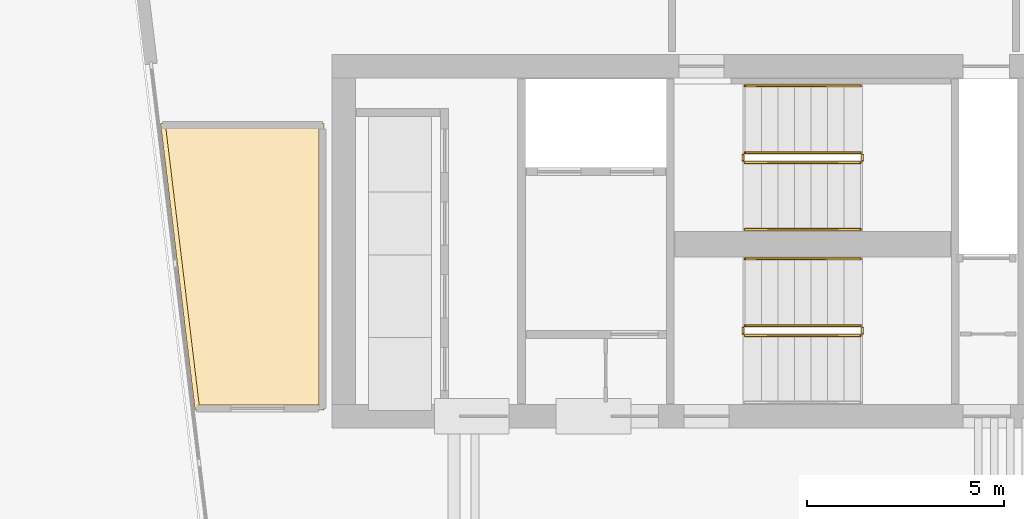
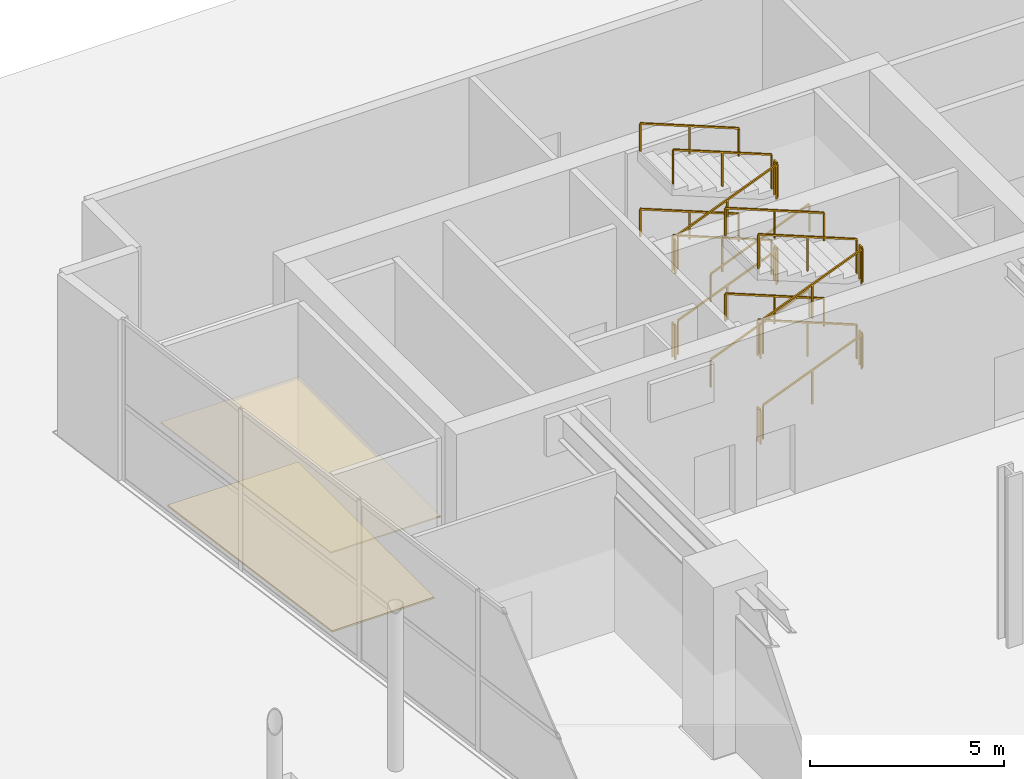
# One storey, part 16 of 18: 22 railings, 2 coverings.
"""IFC4 building model written with IfcOpenShell, lengths in metres."""

from ifc_helpers import new_model, si_unit, direction, frame, origin, origin_2d, place, context, subcontext, project, spatial, polyline, rectangle, outline, extrude, material, layer, layer_set, type_object, element, save


model = new_model("IFC4")

# Units and contexts
model_context = context("Model", 3, precision=1e-05, world=origin(), true_north=direction((0.0, 1.0)))
body_context = subcontext(model_context, "Body", "Model", "MODEL_VIEW")
ifc_project = project(units=[si_unit("LENGTHUNIT", "METRE"), si_unit("AREAUNIT", "SQUARE_METRE"), si_unit("VOLUMEUNIT", "CUBIC_METRE"), si_unit("PLANEANGLEUNIT", "RADIAN"), si_unit("MASSUNIT", "GRAM", prefix="KILO")], contexts=[model_context])

# Site, building, storey
site_placement = place(None, origin())
site = spatial("IfcSite", under=ifc_project, at=site_placement, CompositionType="ELEMENT")
building_placement = place(site_placement, origin())
building = spatial("IfcBuilding", under=site, at=building_placement, Name="Caeloran Harvest Quay", CompositionType="ELEMENT")
storey_placement = place(building_placement, origin())
storey = spatial("IfcBuildingStorey", under=building, at=storey_placement, Name="L01", CompositionType="ELEMENT", Elevation=0.0)

# Coverings
ifc_material_1 = material(Name="Perforated Mineral-Fibre Acoustic Ceiling Tile", Category="ceiling")
ifc_layer_1 = layer(ifc_material_1, 0.0400390625, Name="Perforated Mineral-Fibre Acoustic Ceiling Tile")
ifc_layer_set_1 = layer_set([ifc_layer_1], Name="Perforated Mineral-Fibre Acoustic Ceiling Tile")
covering_type_1 = type_object("IfcCoveringType", Name="COV-CEILING-ACOUSTIC", PredefinedType="CEILING", material=ifc_layer_set_1)
covering_1_placement = place(storey_placement, frame((0.0, 0.0, 2.60009765625)))
element("IfcCovering", 1, at=covering_1_placement, inside=storey, type_object=covering_type_1, Name="L01 Fire Command Centre and Fire Control Room Acoustic Ceiling", PredefinedType="CEILING", context=body_context, shape_type="SweptSolid", body=[
    extrude(outline(polyline([(1.913818359375, 31.9599609375), (1.036376953125, 39.239990234375), (5.18994140625, 39.239990234375), (5.18994140625, 31.9599609375), (1.913818359375, 31.9599609375)])), origin(), (0.0, 0.0, 1.0), 0.039794921875),
])
ifc_material_2 = material(Name="Calcium-Sulphate Raised Access Floor and Terrazzo Finish", Category="flooring")
ifc_layer_2 = layer(ifc_material_2, 0.050048828125, Name="Calcium-Sulphate Raised Access Floor and Terrazzo Finish")
ifc_layer_set_2 = layer_set([ifc_layer_2], Name="Calcium-Sulphate Raised Access Floor and Terrazzo Finish")
covering_type_2 = type_object("IfcCoveringType", Name="COV-FLOOR-RAISED", PredefinedType="FLOORING", material=ifc_layer_set_2)
covering_2_placement = place(storey_placement, origin())
element("IfcCovering", 2, at=covering_2_placement, inside=storey, type_object=covering_type_2, Name="L01 Fire Command Centre and Fire Control Room Raised Finish Flooring", PredefinedType="FLOORING", context=body_context, shape_type="SweptSolid", body=[
    extrude(outline(polyline([(2.02001953125, 32.080078125), (1.171630859375, 39.1201171875), (5.070068359375, 39.1201171875), (5.070068359375, 32.080078125), (2.02001953125, 32.080078125)])), origin(), (0.0, 0.0, 1.0), 0.050048828125),
])

# Railings
ifc_material_3 = material(Name="Painted Steel Baluster and Top-Rail Stair Guard", Category="steel")
ifc_layer_3 = layer(ifc_material_3, 0.050048828125, Name="Painted Steel Baluster and Top-Rail Stair Guard")
ifc_layer_set_3 = layer_set([ifc_layer_3], Name="Painted Steel Baluster and Top-Rail Stair Guard")
railing_type_1 = type_object("IfcRailingType", Name="STAIR-GUARD-1100", PredefinedType="GUARDRAIL", material=ifc_layer_set_3)
railing_1_placement = place(storey_placement, frame((15.89990234375, 38.25, 0.168701171875)))
element("IfcRailing", 3, at=railing_1_placement, inside=storey, type_object=railing_type_1, Name="L01 ST-C1 stair guard 1", PredefinedType="GUARDRAIL", context=body_context, shape_type="SweptSolid", body=[
    extrude(rectangle(XDim=0.048095703125, YDim=0.048095703125, at=origin_2d()), frame((0.0, 0.0, 1.076171875), z_axis=(0.927896368829, 0.0, 0.372838207155), x_axis=(0.0, 1.0, 0.0)), (0.0, 0.0, 1.0), 3.168701171875),
    extrude(rectangle(XDim=0.0419921875, YDim=0.0419921875, at=origin_2d()), origin(), (0.0, 0.0, 1.0), 1.052001953125),
    extrude(rectangle(XDim=0.0419921875, YDim=0.0419921875, at=origin_2d()), frame((1.47021484375, 0.0, 0.5908203125)), (0.0, 0.0, 1.0), 1.052001953125),
    extrude(rectangle(XDim=0.0419921875, YDim=0.0419921875, at=origin_2d()), frame((2.940185546875, 0.0, 1.181396484375)), (0.0, 0.0, 1.0), 1.052001953125),
])
railing_2_placement = place(storey_placement, frame((18.889892578125, 38.300048828125, 1.35009765625)))
element("IfcRailing", 4, at=railing_2_placement, inside=storey, type_object=railing_type_1, Name="L01 ST-C1 stair guard 2", PredefinedType="GUARDRAIL", context=body_context, shape_type="SweptSolid", body=[
    extrude(rectangle(XDim=0.048095703125, YDim=0.048095703125, at=origin_2d()), frame((0.0, 0.0, 1.076171875), z_axis=(0.0, 1.0, 0.0), x_axis=(-1.0, 0.0, 0.0)), (0.0, 0.0, 1.0), 0.14990234375),
    extrude(rectangle(XDim=0.0419921875, YDim=0.0419921875, at=origin_2d()), origin(), (0.0, 0.0, 1.0), 1.052001953125),
    extrude(rectangle(XDim=0.0419921875, YDim=0.0419921875, at=origin_2d()), frame((0.0, 0.14990234375, 0.0)), (0.0, 0.0, 1.0), 1.052001953125),
])
railing_3_placement = place(storey_placement, frame((18.840087890625, 38.5, 1.518798828125)))
element("IfcRailing", 5, at=railing_3_placement, inside=storey, type_object=railing_type_1, Name="L01 ST-C1 stair guard 3", PredefinedType="GUARDRAIL", context=body_context, shape_type="SweptSolid", body=[
    extrude(rectangle(XDim=0.048095703125, YDim=0.048095703125, at=origin_2d()), frame((0.0, 0.0, 1.076171875), z_axis=(-0.927923022591, 0.0, 0.372771866088), x_axis=(0.0, -1.0, 0.0)), (0.0, 0.0, 1.0), 3.16845703125),
    extrude(rectangle(XDim=0.0419921875, YDim=0.0419921875, at=origin_2d()), origin(), (0.0, 0.0, 1.0), 1.052001953125),
    extrude(rectangle(XDim=0.0419921875, YDim=0.0419921875, at=origin_2d()), frame((-1.47021484375, 0.0, 0.590576171875)), (0.0, 0.0, 1.0), 1.052001953125),
    extrude(rectangle(XDim=0.0419921875, YDim=0.0419921875, at=origin_2d()), frame((-2.940185546875, 0.0, 1.18115234375)), (0.0, 0.0, 1.0), 1.052001953125),
])
railing_4_placement = place(storey_placement, frame((15.85009765625, 38.300048828125, 2.699951171875)))
element("IfcRailing", 6, at=railing_4_placement, inside=storey, type_object=railing_type_1, Name="L01 ST-C1 stair guard 4", PredefinedType="GUARDRAIL", context=body_context, shape_type="SweptSolid", body=[
    extrude(rectangle(XDim=0.048095703125, YDim=0.048095703125, at=origin_2d()), frame((0.0, 0.0, 1.076171875), z_axis=(0.0, 1.0, 0.0), x_axis=(-1.0, 0.0, 0.0)), (0.0, 0.0, 1.0), 0.14990234375),
    extrude(rectangle(XDim=0.0419921875, YDim=0.0419921875, at=origin_2d()), origin(), (0.0, 0.0, 1.0), 1.052001953125),
    extrude(rectangle(XDim=0.0419921875, YDim=0.0419921875, at=origin_2d()), frame((0.0, 0.14990234375, 0.0)), (0.0, 0.0, 1.0), 1.052001953125),
])
railing_5_placement = place(storey_placement, frame((15.89990234375, 38.25, 2.86865234375)))
element("IfcRailing", 7, at=railing_5_placement, inside=storey, type_object=railing_type_1, Name="L01 ST-C1 stair guard 5", PredefinedType="GUARDRAIL", context=body_context, shape_type="SweptSolid", body=[
    extrude(rectangle(XDim=0.048095703125, YDim=0.048095703125, at=origin_2d()), frame((0.0, 0.0, 1.076171875), z_axis=(0.927896368829, 0.0, 0.372838207155), x_axis=(0.0, 1.0, 0.0)), (0.0, 0.0, 1.0), 3.168701171875),
    extrude(rectangle(XDim=0.0419921875, YDim=0.0419921875, at=origin_2d()), origin(), (0.0, 0.0, 1.0), 1.052001953125),
    extrude(rectangle(XDim=0.0419921875, YDim=0.0419921875, at=origin_2d()), frame((1.47021484375, 0.0, 0.5908203125)), (0.0, 0.0, 1.0), 1.052001953125),
    extrude(rectangle(XDim=0.0419921875, YDim=0.0419921875, at=origin_2d()), frame((2.940185546875, 0.0, 1.181396484375)), (0.0, 0.0, 1.0), 1.052001953125),
])
railing_6_placement = place(storey_placement, frame((18.889892578125, 38.300048828125, 4.050048828125)))
element("IfcRailing", 8, at=railing_6_placement, inside=storey, type_object=railing_type_1, Name="L01 ST-C1 stair guard 6", PredefinedType="GUARDRAIL", context=body_context, shape_type="SweptSolid", body=[
    extrude(rectangle(XDim=0.048095703125, YDim=0.048095703125, at=origin_2d()), frame((0.0, 0.0, 1.076171875), z_axis=(0.0, 1.0, 0.0), x_axis=(-1.0, 0.0, 0.0)), (0.0, 0.0, 1.0), 0.14990234375),
    extrude(rectangle(XDim=0.0419921875, YDim=0.0419921875, at=origin_2d()), origin(), (0.0, 0.0, 1.0), 1.052001953125),
    extrude(rectangle(XDim=0.0419921875, YDim=0.0419921875, at=origin_2d()), frame((0.0, 0.14990234375, 0.0)), (0.0, 0.0, 1.0), 1.052001953125),
])
railing_7_placement = place(storey_placement, frame((18.840087890625, 38.5, 4.21875)))
element("IfcRailing", 9, at=railing_7_placement, inside=storey, type_object=railing_type_1, Name="L01 ST-C1 stair guard 7", PredefinedType="GUARDRAIL", context=body_context, shape_type="SweptSolid", body=[
    extrude(rectangle(XDim=0.048095703125, YDim=0.048095703125, at=origin_2d()), frame((0.0, 0.0, 1.076171875), z_axis=(-0.927923022591, 0.0, 0.372771866088), x_axis=(0.0, -1.0, 0.0)), (0.0, 0.0, 1.0), 3.16845703125),
    extrude(rectangle(XDim=0.0419921875, YDim=0.0419921875, at=origin_2d()), origin(), (0.0, 0.0, 1.0), 1.052001953125),
    extrude(rectangle(XDim=0.0419921875, YDim=0.0419921875, at=origin_2d()), frame((-1.47021484375, 0.0, 0.590576171875)), (0.0, 0.0, 1.0), 1.052001953125),
    extrude(rectangle(XDim=0.0419921875, YDim=0.0419921875, at=origin_2d()), frame((-2.940185546875, 0.0, 1.18115234375)), (0.0, 0.0, 1.0), 1.052001953125),
])
railing_8_placement = place(storey_placement, frame((15.85009765625, 38.300048828125, 0.0)))
element("IfcRailing", 10, at=railing_8_placement, inside=storey, type_object=railing_type_1, Name="L01 ST-C1 stair guard 8", PredefinedType="GUARDRAIL", context=body_context, shape_type="SweptSolid", body=[
    extrude(rectangle(XDim=0.048095703125, YDim=0.048095703125, at=origin_2d()), frame((0.0, 0.0, 1.076171875), z_axis=(0.0, 1.0, 0.0), x_axis=(-1.0, 0.0, 0.0)), (0.0, 0.0, 1.0), 0.14990234375),
    extrude(rectangle(XDim=0.0419921875, YDim=0.0419921875, at=origin_2d()), origin(), (0.0, 0.0, 1.0), 1.052001953125),
    extrude(rectangle(XDim=0.0419921875, YDim=0.0419921875, at=origin_2d()), frame((0.0, 0.14990234375, 0.0)), (0.0, 0.0, 1.0), 1.052001953125),
])
railing_9_placement = place(storey_placement, frame((15.89990234375, 33.85009765625, 0.168701171875)))
element("IfcRailing", 11, at=railing_9_placement, inside=storey, type_object=railing_type_1, Name="L01 ST-C2 stair guard 1", PredefinedType="GUARDRAIL", context=body_context, shape_type="SweptSolid", body=[
    extrude(rectangle(XDim=0.048095703125, YDim=0.048095703125, at=origin_2d()), frame((0.0, 0.0, 1.076171875), z_axis=(0.927896368829, 0.0, 0.372838207155), x_axis=(0.0, 1.0, 0.0)), (0.0, 0.0, 1.0), 3.168701171875),
    extrude(rectangle(XDim=0.0419921875, YDim=0.0419921875, at=origin_2d()), origin(), (0.0, 0.0, 1.0), 1.052001953125),
    extrude(rectangle(XDim=0.0419921875, YDim=0.0419921875, at=origin_2d()), frame((1.47021484375, 0.0, 0.5908203125)), (0.0, 0.0, 1.0), 1.052001953125),
    extrude(rectangle(XDim=0.0419921875, YDim=0.0419921875, at=origin_2d()), frame((2.940185546875, 0.0, 1.181396484375)), (0.0, 0.0, 1.0), 1.052001953125),
])
railing_10_placement = place(storey_placement, frame((18.889892578125, 33.89990234375, 1.35009765625)))
element("IfcRailing", 12, at=railing_10_placement, inside=storey, type_object=railing_type_1, Name="L01 ST-C2 stair guard 2", PredefinedType="GUARDRAIL", context=body_context, shape_type="SweptSolid", body=[
    extrude(rectangle(XDim=0.048095703125, YDim=0.048095703125, at=origin_2d()), frame((0.0, 0.0, 1.076171875), z_axis=(0.0, 1.0, 0.0), x_axis=(-1.0, 0.0, 0.0)), (0.0, 0.0, 1.0), 0.150146484375),
    extrude(rectangle(XDim=0.0419921875, YDim=0.0419921875, at=origin_2d()), origin(), (0.0, 0.0, 1.0), 1.052001953125),
    extrude(rectangle(XDim=0.0419921875, YDim=0.0419921875, at=origin_2d()), frame((0.0, 0.150146484375, 0.0)), (0.0, 0.0, 1.0), 1.052001953125),
])
railing_11_placement = place(storey_placement, frame((18.840087890625, 34.10009765625, 1.518798828125)))
element("IfcRailing", 13, at=railing_11_placement, inside=storey, type_object=railing_type_1, Name="L01 ST-C2 stair guard 3", PredefinedType="GUARDRAIL", context=body_context, shape_type="SweptSolid", body=[
    extrude(rectangle(XDim=0.048095703125, YDim=0.048095703125, at=origin_2d()), frame((0.0, 0.0, 1.076171875), z_axis=(-0.927923022591, 0.0, 0.372771866088), x_axis=(0.0, -1.0, 0.0)), (0.0, 0.0, 1.0), 3.16845703125),
    extrude(rectangle(XDim=0.0419921875, YDim=0.0419921875, at=origin_2d()), origin(), (0.0, 0.0, 1.0), 1.052001953125),
    extrude(rectangle(XDim=0.0419921875, YDim=0.0419921875, at=origin_2d()), frame((-1.47021484375, 0.0, 0.590576171875)), (0.0, 0.0, 1.0), 1.052001953125),
    extrude(rectangle(XDim=0.0419921875, YDim=0.0419921875, at=origin_2d()), frame((-2.940185546875, 0.0, 1.18115234375)), (0.0, 0.0, 1.0), 1.052001953125),
])
railing_12_placement = place(storey_placement, frame((15.85009765625, 33.89990234375, 2.699951171875)))
element("IfcRailing", 14, at=railing_12_placement, inside=storey, type_object=railing_type_1, Name="L01 ST-C2 stair guard 4", PredefinedType="GUARDRAIL", context=body_context, shape_type="SweptSolid", body=[
    extrude(rectangle(XDim=0.048095703125, YDim=0.048095703125, at=origin_2d()), frame((0.0, 0.0, 1.076171875), z_axis=(0.0, 1.0, 0.0), x_axis=(-1.0, 0.0, 0.0)), (0.0, 0.0, 1.0), 0.150146484375),
    extrude(rectangle(XDim=0.0419921875, YDim=0.0419921875, at=origin_2d()), origin(), (0.0, 0.0, 1.0), 1.052001953125),
    extrude(rectangle(XDim=0.0419921875, YDim=0.0419921875, at=origin_2d()), frame((0.0, 0.150146484375, 0.0)), (0.0, 0.0, 1.0), 1.052001953125),
])
railing_13_placement = place(storey_placement, frame((15.89990234375, 33.85009765625, 2.86865234375)))
element("IfcRailing", 15, at=railing_13_placement, inside=storey, type_object=railing_type_1, Name="L01 ST-C2 stair guard 5", PredefinedType="GUARDRAIL", context=body_context, shape_type="SweptSolid", body=[
    extrude(rectangle(XDim=0.048095703125, YDim=0.048095703125, at=origin_2d()), frame((0.0, 0.0, 1.076171875), z_axis=(0.927896368829, 0.0, 0.372838207155), x_axis=(0.0, 1.0, 0.0)), (0.0, 0.0, 1.0), 3.168701171875),
    extrude(rectangle(XDim=0.0419921875, YDim=0.0419921875, at=origin_2d()), origin(), (0.0, 0.0, 1.0), 1.052001953125),
    extrude(rectangle(XDim=0.0419921875, YDim=0.0419921875, at=origin_2d()), frame((1.47021484375, 0.0, 0.5908203125)), (0.0, 0.0, 1.0), 1.052001953125),
    extrude(rectangle(XDim=0.0419921875, YDim=0.0419921875, at=origin_2d()), frame((2.940185546875, 0.0, 1.181396484375)), (0.0, 0.0, 1.0), 1.052001953125),
])
railing_14_placement = place(storey_placement, frame((18.889892578125, 33.89990234375, 4.050048828125)))
element("IfcRailing", 16, at=railing_14_placement, inside=storey, type_object=railing_type_1, Name="L01 ST-C2 stair guard 6", PredefinedType="GUARDRAIL", context=body_context, shape_type="SweptSolid", body=[
    extrude(rectangle(XDim=0.048095703125, YDim=0.048095703125, at=origin_2d()), frame((0.0, 0.0, 1.076171875), z_axis=(0.0, 1.0, 0.0), x_axis=(-1.0, 0.0, 0.0)), (0.0, 0.0, 1.0), 0.150146484375),
    extrude(rectangle(XDim=0.0419921875, YDim=0.0419921875, at=origin_2d()), origin(), (0.0, 0.0, 1.0), 1.052001953125),
    extrude(rectangle(XDim=0.0419921875, YDim=0.0419921875, at=origin_2d()), frame((0.0, 0.150146484375, 0.0)), (0.0, 0.0, 1.0), 1.052001953125),
])
railing_15_placement = place(storey_placement, frame((18.840087890625, 34.10009765625, 4.21875)))
element("IfcRailing", 17, at=railing_15_placement, inside=storey, type_object=railing_type_1, Name="L01 ST-C2 stair guard 7", PredefinedType="GUARDRAIL", context=body_context, shape_type="SweptSolid", body=[
    extrude(rectangle(XDim=0.048095703125, YDim=0.048095703125, at=origin_2d()), frame((0.0, 0.0, 1.076171875), z_axis=(-0.927923022591, 0.0, 0.372771866088), x_axis=(0.0, -1.0, 0.0)), (0.0, 0.0, 1.0), 3.16845703125),
    extrude(rectangle(XDim=0.0419921875, YDim=0.0419921875, at=origin_2d()), origin(), (0.0, 0.0, 1.0), 1.052001953125),
    extrude(rectangle(XDim=0.0419921875, YDim=0.0419921875, at=origin_2d()), frame((-1.47021484375, 0.0, 0.590576171875)), (0.0, 0.0, 1.0), 1.052001953125),
    extrude(rectangle(XDim=0.0419921875, YDim=0.0419921875, at=origin_2d()), frame((-2.940185546875, 0.0, 1.18115234375)), (0.0, 0.0, 1.0), 1.052001953125),
])
railing_16_placement = place(storey_placement, frame((15.85009765625, 33.89990234375, 0.0)))
element("IfcRailing", 18, at=railing_16_placement, inside=storey, type_object=railing_type_1, Name="L01 ST-C2 stair guard 8", PredefinedType="GUARDRAIL", context=body_context, shape_type="SweptSolid", body=[
    extrude(rectangle(XDim=0.048095703125, YDim=0.048095703125, at=origin_2d()), frame((0.0, 0.0, 1.076171875), z_axis=(0.0, 1.0, 0.0), x_axis=(-1.0, 0.0, 0.0)), (0.0, 0.0, 1.0), 0.150146484375),
    extrude(rectangle(XDim=0.0419921875, YDim=0.0419921875, at=origin_2d()), origin(), (0.0, 0.0, 1.0), 1.052001953125),
    extrude(rectangle(XDim=0.0419921875, YDim=0.0419921875, at=origin_2d()), frame((0.0, 0.150146484375, 0.0)), (0.0, 0.0, 1.0), 1.052001953125),
])
ifc_material_4 = material(Name="Brushed Stainless Steel Grade 304", Category="steel")
ifc_layer_4 = layer(ifc_material_4, 0.050048828125, Name="Brushed Stainless Steel Grade 304")
ifc_layer_set_4 = layer_set([ifc_layer_4], Name="Brushed Stainless Steel Grade 304")
railing_type_2 = type_object("IfcRailingType", Name="STAIR-HANDRAIL-900", PredefinedType="HANDRAIL", material=ifc_layer_set_4)
railing_17_placement = place(storey_placement, frame((15.89990234375, 36.550048828125, 0.168701171875)))
element("IfcRailing", 19, at=railing_17_placement, inside=storey, type_object=railing_type_2, Name="L01 ST-C1 stair handrail 1", PredefinedType="HANDRAIL", context=body_context, shape_type="SweptSolid", body=[
    extrude(rectangle(XDim=0.048095703125, YDim=0.048095703125, at=origin_2d()), frame((0.0, 0.0, 0.8759765625), z_axis=(0.927896368829, 0.0, 0.372838207155), x_axis=(0.0, 1.0, 0.0)), (0.0, 0.0, 1.0), 3.168701171875),
    extrude(rectangle(XDim=0.0419921875, YDim=0.0419921875, at=origin_2d()), origin(), (0.0, 0.0, 1.0), 0.851806640625),
    extrude(rectangle(XDim=0.0419921875, YDim=0.0419921875, at=origin_2d()), frame((1.47021484375, 0.0, 0.5908203125)), (0.0, 0.0, 1.0), 0.851806640625),
    extrude(rectangle(XDim=0.0419921875, YDim=0.0419921875, at=origin_2d()), frame((2.940185546875, 0.0, 1.181396484375)), (0.0, 0.0, 1.0), 0.851806640625),
])
railing_18_placement = place(storey_placement, frame((18.840087890625, 40.199951171875, 1.518798828125)))
element("IfcRailing", 20, at=railing_18_placement, inside=storey, type_object=railing_type_2, Name="L01 ST-C1 stair handrail 2", PredefinedType="HANDRAIL", context=body_context, shape_type="SweptSolid", body=[
    extrude(rectangle(XDim=0.048095703125, YDim=0.048095703125, at=origin_2d()), frame((0.0, 0.0, 0.8759765625), z_axis=(-0.927923022591, 0.0, 0.372771866088), x_axis=(0.0, -1.0, 0.0)), (0.0, 0.0, 1.0), 3.16845703125),
    extrude(rectangle(XDim=0.0419921875, YDim=0.0419921875, at=origin_2d()), origin(), (0.0, 0.0, 1.0), 0.851806640625),
    extrude(rectangle(XDim=0.0419921875, YDim=0.0419921875, at=origin_2d()), frame((-1.47021484375, 0.0, 0.590576171875)), (0.0, 0.0, 1.0), 0.851806640625),
    extrude(rectangle(XDim=0.0419921875, YDim=0.0419921875, at=origin_2d()), frame((-2.940185546875, 0.0, 1.18115234375)), (0.0, 0.0, 1.0), 0.851806640625),
])
railing_19_placement = place(storey_placement, frame((15.89990234375, 36.550048828125, 2.86865234375)))
element("IfcRailing", 21, at=railing_19_placement, inside=storey, type_object=railing_type_2, Name="L01 ST-C1 stair handrail 3", PredefinedType="HANDRAIL", context=body_context, shape_type="SweptSolid", body=[
    extrude(rectangle(XDim=0.048095703125, YDim=0.048095703125, at=origin_2d()), frame((0.0, 0.0, 0.8759765625), z_axis=(0.927896368829, 0.0, 0.372838207155), x_axis=(0.0, 1.0, 0.0)), (0.0, 0.0, 1.0), 3.168701171875),
    extrude(rectangle(XDim=0.0419921875, YDim=0.0419921875, at=origin_2d()), origin(), (0.0, 0.0, 1.0), 0.851806640625),
    extrude(rectangle(XDim=0.0419921875, YDim=0.0419921875, at=origin_2d()), frame((1.47021484375, 0.0, 0.5908203125)), (0.0, 0.0, 1.0), 0.851806640625),
    extrude(rectangle(XDim=0.0419921875, YDim=0.0419921875, at=origin_2d()), frame((2.940185546875, 0.0, 1.181396484375)), (0.0, 0.0, 1.0), 0.851806640625),
])
for number, where, name in (
    (22, (18.840087890625, 40.199951171875, 4.21875), "L01 ST-C1 stair handrail 4"),
    (23, (18.840087890625, 35.800048828125, 1.518798828125), "L01 ST-C2 stair handrail 2"),
    (24, (18.840087890625, 35.800048828125, 4.21875), "L01 ST-C2 stair handrail 4"),
):
    element("IfcRailing", number, at=place(storey_placement, frame(where)), inside=storey, type_object=railing_type_2, Name=name, PredefinedType="HANDRAIL", context=body_context, shape_type="SweptSolid", body=[
        extrude(rectangle(XDim=0.048095703125, YDim=0.048095703125, at=origin_2d()), frame((0.0, 0.0, 0.8759765625), z_axis=(-0.927923022591, 0.0, 0.372771866088), x_axis=(0.0, -1.0, 0.0)), (0.0, 0.0, 1.0), 3.16845703125),
        extrude(rectangle(XDim=0.0419921875, YDim=0.0419921875, at=origin_2d()), origin(), (0.0, 0.0, 1.0), 0.851806640625),
        extrude(rectangle(XDim=0.0419921875, YDim=0.0419921875, at=origin_2d()), frame((-1.47021484375, 0.0, 0.590576171875)), (0.0, 0.0, 1.0), 0.851806640625),
        extrude(rectangle(XDim=0.0419921875, YDim=0.0419921875, at=origin_2d()), frame((-2.940185546875, 0.0, 1.18115234375)), (0.0, 0.0, 1.0), 0.851806640625),
    ])

save(model, "model.ifc")
